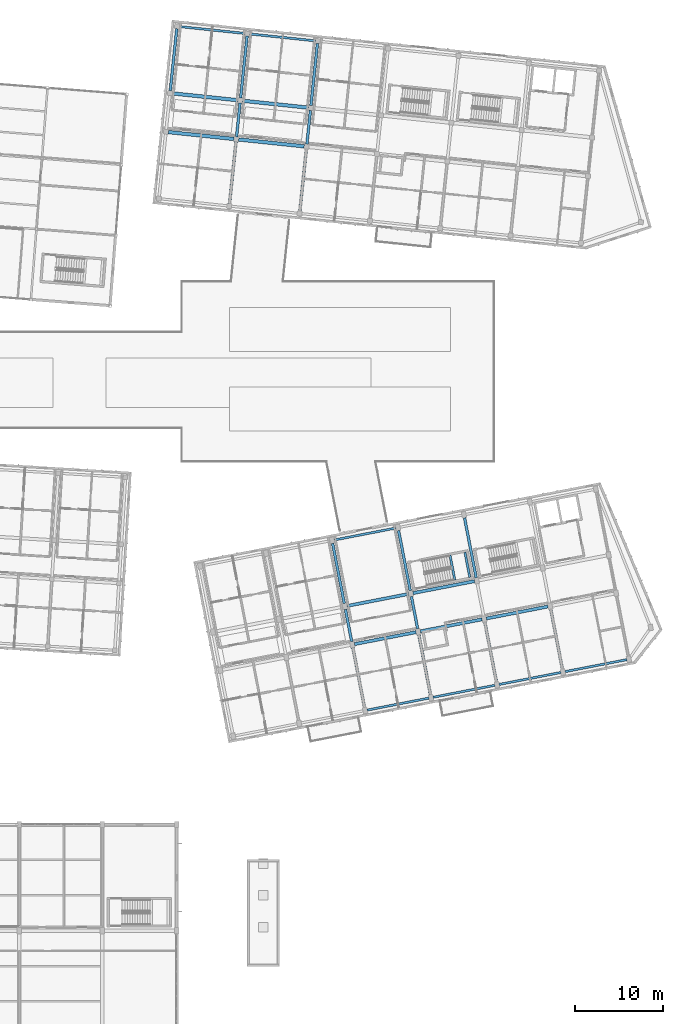
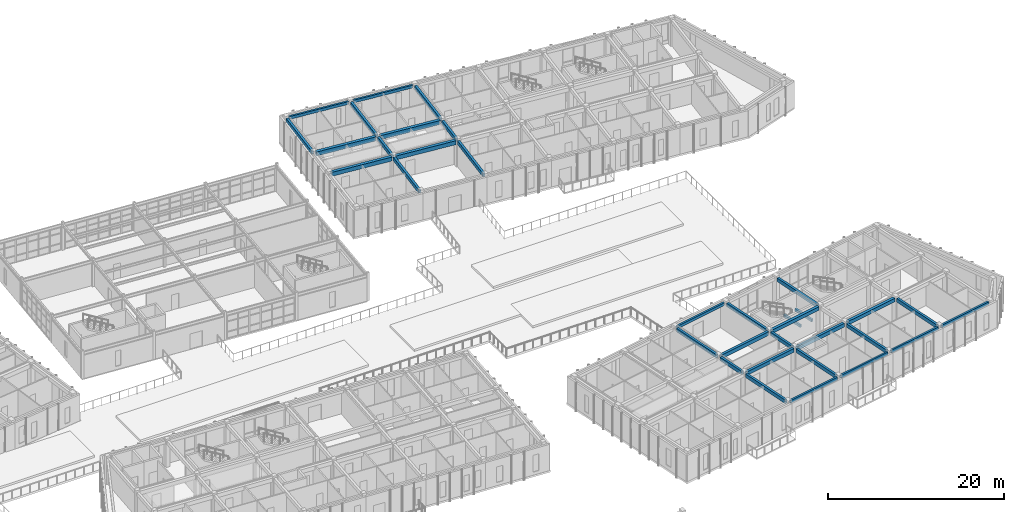
# One storey, part 57 of 150: 34 beams.
"""IFC4 building model written with IfcOpenShell, lengths in metres."""

from ifc_helpers import new_model, si_unit, direction, frame, origin, origin_2d, place, context, subcontext, project, spatial, rectangle, extrude, material, material_profile, profile_set, type_object, element, save


model = new_model("IFC4")

# Units and contexts
model_context = context("Model", 3, precision=1e-05, world=origin(), true_north=direction((0.0, 1.0)))
body_context = subcontext(model_context, "Body", "Model", "MODEL_VIEW")
ifc_project = project(units=[si_unit("LENGTHUNIT", "METRE"), si_unit("AREAUNIT", "SQUARE_METRE"), si_unit("VOLUMEUNIT", "CUBIC_METRE"), si_unit("PLANEANGLEUNIT", "RADIAN"), si_unit("MASSUNIT", "GRAM", prefix="KILO")], contexts=[model_context])

# Site, building, storey
site_placement = place(None, origin())
site = spatial("IfcSite", under=ifc_project, at=site_placement, CompositionType="ELEMENT")
building_placement = place(site_placement, origin())
building = spatial("IfcBuilding", under=site, at=building_placement, Name="Kestramere Prow Commons", CompositionType="ELEMENT")
storey_placement = place(building_placement, frame((0.0, 0.0, 4.5)))
storey = spatial("IfcBuildingStorey", under=building, at=storey_placement, Name="L01", CompositionType="ELEMENT", Elevation=4.5)

# Beams
ifc_material_1 = material(Name="Precast concrete C40/50", Category="concrete")
ifc_material_profile_1 = material_profile(ifc_material_1, rectangle(XDim=0.39990234375, YDim=0.550048828125, at=origin_2d()), Name="PC-BM 400x550")
ifc_profile_set_1 = profile_set([ifc_material_profile_1], Name="Precast concrete C40/50")
beam_type_1 = type_object("IfcBeamType", Name="BM-B1 PC-BM 400x550", PredefinedType="BEAM", material=ifc_profile_set_1)
for number, where, z_axis, x_axis, name in (
    (1, (111.06787109375, 102.32958984375, 3.375), (0.994520884665, -0.104538079019, 0.0), (0.104538079019, 0.994520884665, 0.0), "Block B L01 Longitudinal Beam 2-1"),
    (2, (119.024169921875, 101.493408203125, 3.375), (0.994520884665, -0.104538079019, 0.0), (0.104538079019, 0.994520884665, 0.0), "Block B L01 Longitudinal Beam 2-2"),
    (3, (111.52783203125, 106.70556640625, 3.375), (0.994520884665, -0.104538079019, 0.0), (0.104538079019, 0.994520884665, 0.0), "Block B L01 Longitudinal Beam 3-1"),
    (4, (119.484130859375, 105.869384765625, 3.375), (0.994520884665, -0.104538079019, 0.0), (0.104538079019, 0.994520884665, 0.0), "Block B L01 Longitudinal Beam 3-2"),
):
    element("IfcBeam", number, at=place(storey_placement, frame(where, z_axis=z_axis, x_axis=x_axis)), inside=storey, type_object=beam_type_1, Name=name, PredefinedType="BEAM", context=body_context, shape_type="SweptSolid", body=[
        extrude(rectangle(XDim=0.39990234375, YDim=0.550048828125, at=origin_2d()), origin(), (0.0, 0.0, 1.0), 7.449951171875),
    ])
ifc_material_profile_2 = material_profile(ifc_material_1, rectangle(XDim=0.35009765625, YDim=0.5, at=origin_2d()), Name="PC-BM 350x500")
ifc_profile_set_2 = profile_set([ifc_material_profile_2], Name="Precast concrete C40/50")
beam_type_2 = type_object("IfcBeamType", Name="BM-D1 PC-BM 350x500", PredefinedType="BEAM", material=ifc_profile_set_2)
beam_1_placement = place(storey_placement, frame((132.115966796875, 44.408447265625, 3.39990234375), z_axis=(0.981627020401, 0.190809834175, 0.0), x_axis=(-0.190809834175, 0.981627020401, 0.0)))
element("IfcBeam", 5, at=beam_1_placement, inside=storey, type_object=beam_type_2, Name="Block D L01 Longitudinal Beam 2-3", PredefinedType="BEAM", context=body_context, shape_type="SweptSolid", body=[
    extrude(rectangle(XDim=0.35009765625, YDim=0.5, at=origin_2d()), origin(), (0.0, 0.0, 1.0), 7.099853515625),
])
for number, where, z_axis, x_axis, name in (
    (6, (139.576416015625, 45.8583984375, 3.39990234375), (0.981620579181, 0.190842968244, 0.0), (-0.190842968244, 0.981620579181, 0.0), "Block D L01 Longitudinal Beam 2-4"),
    (7, (147.03662109375, 47.30859375, 3.39990234375), (0.98162827229, 0.190803393686, 0.0), (-0.190803393686, 0.98162827229, 0.0), "Block D L01 Longitudinal Beam 2-5"),
    (8, (131.2763671875, 48.7275390625, 3.39990234375), (0.98162827229, 0.190803393686, 0.0), (-0.190803393686, 0.98162827229, 0.0), "Block D L01 Longitudinal Beam 3-3"),
):
    element("IfcBeam", number, at=place(storey_placement, frame(where, z_axis=z_axis, x_axis=x_axis)), inside=storey, type_object=beam_type_2, Name=name, PredefinedType="BEAM", context=body_context, shape_type="SweptSolid", body=[
        extrude(rectangle(XDim=0.35009765625, YDim=0.5, at=origin_2d()), origin(), (0.0, 0.0, 1.0), 7.10009765625),
    ])
beam_2_placement = place(storey_placement, frame((138.73681640625, 50.177734375, 3.39990234375), z_axis=(0.981627020401, 0.190809834175, 0.0), x_axis=(-0.190809834175, 0.981627020401, 0.0)))
element("IfcBeam", 9, at=beam_2_placement, inside=storey, type_object=beam_type_2, Name="Block D L01 Longitudinal Beam 3-4", PredefinedType="BEAM", context=body_context, shape_type="SweptSolid", body=[
    extrude(rectangle(XDim=0.35009765625, YDim=0.5, at=origin_2d()), origin(), (0.0, 0.0, 1.0), 7.099853515625),
])
ifc_material_2 = material(Name="Concrete C40/50", Category="concrete")
ifc_material_profile_3 = material_profile(ifc_material_2, rectangle(XDim=0.25, YDim=0.35009765625, at=origin_2d()), Name="PC-BM 250x350")
ifc_profile_set_3 = profile_set([ifc_material_profile_3], Name="Concrete C40/50")
beam_type_3 = type_object("IfcBeamType", Name="BM-ST-TRIM", PredefinedType="BEAM", material=ifc_profile_set_3)
for number, where, z_axis, x_axis, name in (
    (10, (143.47509765625, 51.638671875, 1.574951171875), (-0.190833481473, 0.981622423516, 0.0), (-0.981622423516, -0.190833481473, 0.0), "ST-D1 L01 Landing Trimmer Beam 1A"),
    (11, (145.16357421875, 51.966796875, 1.574951171875), (-0.190833481473, 0.981622423516, 0.0), (-0.981622423516, -0.190833481473, 0.0), "ST-D1 L01 Landing Trimmer Beam 1B"),
):
    element("IfcBeam", number, at=place(storey_placement, frame(where, z_axis=z_axis, x_axis=x_axis)), inside=storey, type_object=beam_type_3, Name=name, PredefinedType="BEAM", context=body_context, shape_type="SweptSolid", body=[
        extrude(rectangle(XDim=0.25, YDim=0.35009765625, at=origin_2d()), origin(), (0.0, 0.0, 1.0), 2.89013671875),
    ])
ifc_material_profile_4 = material_profile(ifc_material_1, rectangle(XDim=0.300048828125, YDim=0.5, at=origin_2d()), Name="PC-BM 300x500")
ifc_profile_set_4 = profile_set([ifc_material_profile_4], Name="Precast concrete C40/50")
beam_type_4 = type_object("IfcBeamType", Name="BM-TIE-01 PC-BM 300x500", PredefinedType="BEAM", material=ifc_profile_set_4)
for number, where, z_axis, x_axis, name in (
    (12, (111.283203125, 107.0078125, 3.39990234375), (0.104515329964, 0.994523275646, 0.0), (-0.994523275646, 0.104515329964, 0.0), "Block B L01 Transverse Beam 1-3"),
    (13, (117.98486328125, 94.2373046875, 3.39990234375), (0.104549582151, 0.994519675458, 0.0), (-0.994519675458, 0.104549582151, 0.0), "Block B L01 Transverse Beam 2-1"),
):
    element("IfcBeam", number, at=place(storey_placement, frame(where, z_axis=z_axis, x_axis=x_axis)), inside=storey, type_object=beam_type_4, Name=name, PredefinedType="BEAM", context=body_context, shape_type="SweptSolid", body=[
        extrude(rectangle(XDim=0.300048828125, YDim=0.5, at=origin_2d()), origin(), (0.0, 0.0, 1.0), 7.0498046875),
    ])
beam_3_placement = place(storey_placement, frame((118.779296875, 101.795654296875, 3.39990234375), z_axis=(0.104569249198, 0.994517607749, 0.0), x_axis=(-0.994517607749, 0.104569249198, 0.0)))
element("IfcBeam", 14, at=beam_3_placement, inside=storey, type_object=beam_type_4, Name="Block B L01 Transverse Beam 2-2", PredefinedType="BEAM", context=body_context, shape_type="SweptSolid", body=[
    extrude(rectangle(XDim=0.300048828125, YDim=0.5, at=origin_2d()), origin(), (0.0, 0.0, 1.0), 3.849853515625),
])
for number, where, z_axis, x_axis, name in (
    (15, (119.2392578125, 106.171630859375, 3.39990234375), (0.104515329964, 0.994523275646, 0.0), (-0.994523275646, 0.104515329964, 0.0), "Block B L01 Transverse Beam 2-3"),
    (16, (125.941162109375, 93.401123046875, 3.39990234375), (0.104515329964, 0.994523275646, 0.0), (-0.994523275646, 0.104515329964, 0.0), "Block B L01 Transverse Beam 3-1"),
):
    element("IfcBeam", number, at=place(storey_placement, frame(where, z_axis=z_axis, x_axis=x_axis)), inside=storey, type_object=beam_type_4, Name=name, PredefinedType="BEAM", context=body_context, shape_type="SweptSolid", body=[
        extrude(rectangle(XDim=0.300048828125, YDim=0.5, at=origin_2d()), origin(), (0.0, 0.0, 1.0), 7.0498046875),
    ])
beam_4_placement = place(storey_placement, frame((126.735595703125, 100.95947265625, 3.39990234375), z_axis=(0.104506528251, 0.994524200587, 0.0), x_axis=(-0.994524200587, 0.104506528251, 0.0)))
element("IfcBeam", 17, at=beam_4_placement, inside=storey, type_object=beam_type_4, Name="Block B L01 Transverse Beam 3-2", PredefinedType="BEAM", context=body_context, shape_type="SweptSolid", body=[
    extrude(rectangle(XDim=0.300048828125, YDim=0.5, at=origin_2d()), origin(), (0.0, 0.0, 1.0), 3.849853515625),
])
beam_5_placement = place(storey_placement, frame((127.195556640625, 105.335205078125, 3.39990234375), z_axis=(0.104511730475, 0.994523653913, 0.0), x_axis=(-0.994523653913, 0.104511730475, 0.0)))
element("IfcBeam", 18, at=beam_5_placement, inside=storey, type_object=beam_type_4, Name="Block B L01 Transverse Beam 3-3", PredefinedType="BEAM", context=body_context, shape_type="SweptSolid", body=[
    extrude(rectangle(XDim=0.300048828125, YDim=0.5, at=origin_2d()), origin(), (0.0, 0.0, 1.0), 7.050048828125),
])
beam_6_placement = place(storey_placement, frame((133.25390625, 37.243896484375, 3.39990234375), z_axis=(-0.190819465253, 0.981625148252, 0.0), x_axis=(-0.981625148252, -0.190819465253, 0.0)))
element("IfcBeam", 19, at=beam_6_placement, inside=storey, type_object=beam_type_4, Name="Block D L01 Transverse Beam 3-1", PredefinedType="BEAM", context=body_context, shape_type="SweptSolid", body=[
    extrude(rectangle(XDim=0.300048828125, YDim=0.5, at=origin_2d()), origin(), (0.0, 0.0, 1.0), 6.89990234375),
])
beam_7_placement = place(storey_placement, frame((131.8037109375, 44.704345703125, 3.39990234375), z_axis=(-0.190770750015, 0.98163461682, 0.0), x_axis=(-0.98163461682, -0.190770750015, 0.0)))
element("IfcBeam", 20, at=beam_7_placement, inside=storey, type_object=beam_type_4, Name="Block D L01 Transverse Beam 3-2", PredefinedType="BEAM", context=body_context, shape_type="SweptSolid", body=[
    extrude(rectangle(XDim=0.300048828125, YDim=0.5, at=origin_2d()), origin(), (0.0, 0.0, 1.0), 3.69970703125),
])
for number, where, z_axis, x_axis, name in (
    (21, (130.96435546875, 49.0234375, 3.39990234375), (-0.190819465253, 0.981625148252, 0.0), (-0.981625148252, -0.190819465253, 0.0), "Block D L01 Transverse Beam 3-3"),
    (22, (140.71435546875, 38.694091796875, 3.39990234375), (-0.190819465253, 0.981625148252, 0.0), (-0.981625148252, -0.190819465253, 0.0), "Block D L01 Transverse Beam 4-1"),
):
    element("IfcBeam", number, at=place(storey_placement, frame(where, z_axis=z_axis, x_axis=x_axis)), inside=storey, type_object=beam_type_4, Name=name, PredefinedType="BEAM", context=body_context, shape_type="SweptSolid", body=[
        extrude(rectangle(XDim=0.300048828125, YDim=0.5, at=origin_2d()), origin(), (0.0, 0.0, 1.0), 6.89990234375),
    ])
beam_8_placement = place(storey_placement, frame((139.26416015625, 46.154296875, 3.39990234375), z_axis=(-0.190821974723, 0.981624660429, 0.0), x_axis=(-0.981624660429, -0.190821974723, 0.0)))
element("IfcBeam", 23, at=beam_8_placement, inside=storey, type_object=beam_type_4, Name="Block D L01 Transverse Beam 4-2", PredefinedType="BEAM", context=body_context, shape_type="SweptSolid", body=[
    extrude(rectangle(XDim=0.300048828125, YDim=0.5, at=origin_2d()), origin(), (0.0, 0.0, 1.0), 3.699951171875),
])
beam_9_placement = place(storey_placement, frame((138.424560546875, 50.4736328125, 3.39990234375), z_axis=(-0.190819465253, 0.981625148252, 0.0), x_axis=(-0.981625148252, -0.190819465253, 0.0)))
element("IfcBeam", 24, at=beam_9_placement, inside=storey, type_object=beam_type_4, Name="Block D L01 Transverse Beam 4-3", PredefinedType="BEAM", context=body_context, shape_type="SweptSolid", body=[
    extrude(rectangle(XDim=0.300048828125, YDim=0.5, at=origin_2d()), origin(), (0.0, 0.0, 1.0), 6.89990234375),
])
for number, where, z_axis, x_axis, name in (
    (25, (148.1748046875, 40.14404296875, 3.39990234375), (-0.190812837813, 0.981626436546, 0.0), (-0.981626436546, -0.190812837813, 0.0), "Block D L01 Transverse Beam 5-1"),
    (26, (145.885009765625, 51.923583984375, 3.39990234375), (-0.190812837813, 0.981626436546, 0.0), (-0.981626436546, -0.190812837813, 0.0), "Block D L01 Transverse Beam 5-3"),
):
    element("IfcBeam", number, at=place(storey_placement, frame(where, z_axis=z_axis, x_axis=x_axis)), inside=storey, type_object=beam_type_4, Name=name, PredefinedType="BEAM", context=body_context, shape_type="SweptSolid", body=[
        extrude(rectangle(XDim=0.300048828125, YDim=0.5, at=origin_2d()), origin(), (0.0, 0.0, 1.0), 6.900146484375),
    ])
beam_10_placement = place(storey_placement, frame((155.635009765625, 41.59423828125, 3.39990234375), z_axis=(-0.190819465253, 0.981625148252, 0.0), x_axis=(-0.981625148252, -0.190819465253, 0.0)))
element("IfcBeam", 27, at=beam_10_placement, inside=storey, type_object=beam_type_4, Name="Block D L01 Transverse Beam 6-1", PredefinedType="BEAM", context=body_context, shape_type="SweptSolid", body=[
    extrude(rectangle(XDim=0.300048828125, YDim=0.5, at=origin_2d()), origin(), (0.0, 0.0, 1.0), 6.89990234375),
])
ifc_material_profile_5 = material_profile(ifc_material_1, rectangle(XDim=0.25, YDim=0.39990234375, at=origin_2d()), Name="PC-SP 250x400")
ifc_profile_set_5 = profile_set([ifc_material_profile_5], Name="Precast concrete C40/50")
beam_type_5 = type_object("IfcBeamType", Name="SP-EXT-01 PC-SP 250x400", PredefinedType="SPANDREL", material=ifc_profile_set_5)
for number, where, z_axis, x_axis, name in (
    (28, (112.322265625, 114.263916015625, 3.449951171875), (0.994520884665, -0.104538079019, 0.0), (0.104538079019, 0.994520884665, 0.0), "Block B L01 Longitudinal Beam 4-1"),
    (29, (120.2783203125, 113.427734375, 3.449951171875), (0.994520884665, -0.104538079019, 0.0), (0.104538079019, 0.994520884665, 0.0), "Block B L01 Longitudinal Beam 4-2"),
):
    element("IfcBeam", number, at=place(storey_placement, frame(where, z_axis=z_axis, x_axis=x_axis)), inside=storey, type_object=beam_type_5, Name=name, PredefinedType="SPANDREL", context=body_context, shape_type="SweptSolid", body=[
        extrude(rectangle(XDim=0.25, YDim=0.39990234375, at=origin_2d()), origin(), (0.0, 0.0, 1.0), 7.449951171875),
    ])
for number, where, z_axis, x_axis, name in (
    (30, (133.566162109375, 36.947998046875, 3.449951171875), (0.981627020401, 0.190809834175, 0.0), (-0.190809834175, 0.981627020401, 0.0), "Block D L01 Longitudinal Beam 1-3"),
    (31, (141.026611328125, 38.398193359375, 3.449951171875), (0.981627020401, 0.190809834175, 0.0), (-0.190809834175, 0.981627020401, 0.0), "Block D L01 Longitudinal Beam 1-4"),
):
    element("IfcBeam", number, at=place(storey_placement, frame(where, z_axis=z_axis, x_axis=x_axis)), inside=storey, type_object=beam_type_5, Name=name, PredefinedType="SPANDREL", context=body_context, shape_type="SweptSolid", body=[
        extrude(rectangle(XDim=0.25, YDim=0.39990234375, at=origin_2d()), origin(), (0.0, 0.0, 1.0), 7.099853515625),
    ])
beam_11_placement = place(storey_placement, frame((148.48681640625, 39.848388671875, 3.449951171875), z_axis=(0.98162827229, 0.190803393686, 0.0), x_axis=(-0.190803393686, 0.98162827229, 0.0)))
element("IfcBeam", 32, at=beam_11_placement, inside=storey, type_object=beam_type_5, Name="Block D L01 Longitudinal Beam 1-5", PredefinedType="SPANDREL", context=body_context, shape_type="SweptSolid", body=[
    extrude(rectangle(XDim=0.25, YDim=0.39990234375, at=origin_2d()), origin(), (0.0, 0.0, 1.0), 7.10009765625),
])
beam_12_placement = place(storey_placement, frame((155.947265625, 41.29833984375, 3.449951171875), z_axis=(0.981627020401, 0.190809834175, 0.0), x_axis=(-0.190809834175, 0.981627020401, 0.0)))
element("IfcBeam", 33, at=beam_12_placement, inside=storey, type_object=beam_type_5, Name="Block D L01 Longitudinal Beam 1-6", PredefinedType="SPANDREL", context=body_context, shape_type="SweptSolid", body=[
    extrude(rectangle(XDim=0.25, YDim=0.39990234375, at=origin_2d()), origin(), (0.0, 0.0, 1.0), 7.099853515625),
])
beam_13_placement = place(storey_placement, frame((129.826171875, 56.18798828125, 3.449951171875), z_axis=(0.98162827229, 0.190803393686, 0.0), x_axis=(-0.190803393686, 0.98162827229, 0.0)))
element("IfcBeam", 34, at=beam_13_placement, inside=storey, type_object=beam_type_5, Name="Block D L01 Longitudinal Beam 4-3", PredefinedType="SPANDREL", context=body_context, shape_type="SweptSolid", body=[
    extrude(rectangle(XDim=0.25, YDim=0.39990234375, at=origin_2d()), origin(), (0.0, 0.0, 1.0), 7.10009765625),
])

save(model, "model.ifc")
